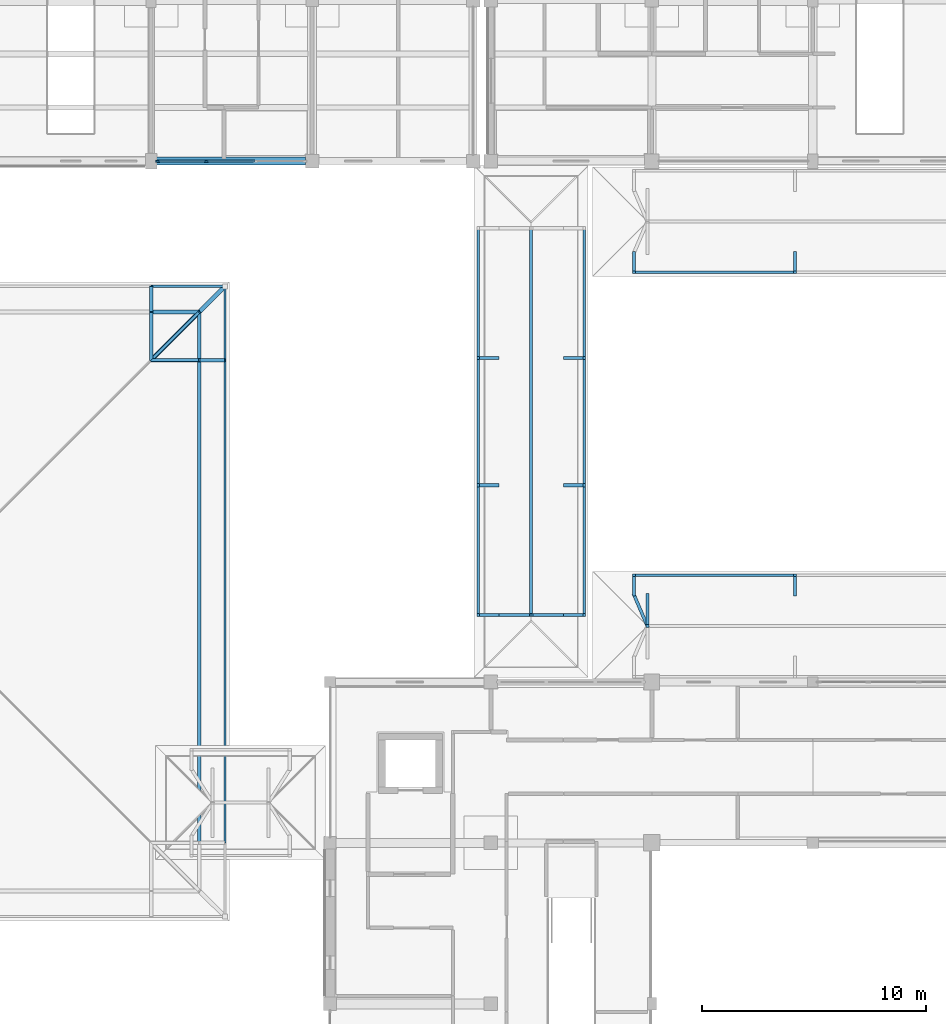
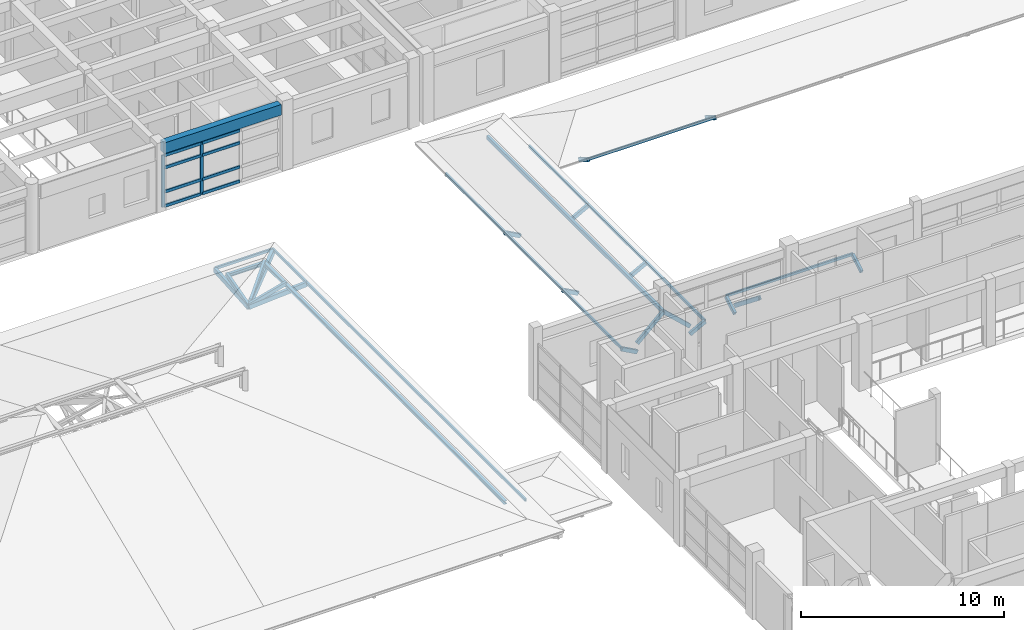
# One storey, part 11 of 110: 45 members, 1 beam, 1 element without a shape of its own.
"""IFC4 building model written with IfcOpenShell, lengths in metres."""

from ifc_helpers import new_model, si_unit, direction, frame, origin, origin_2d, place, context, subcontext, project, spatial, rectangle, hollow_rectangle, i_section, extrude, material, material_profile, profile_set, type_object, element, aggregate, save


model = new_model("IFC4")

# Units and contexts
model_context = context("Model", 3, precision=1e-05, world=origin(), true_north=direction((0.0, 1.0)))
body_context = subcontext(model_context, "Body", "Model", "MODEL_VIEW")
ifc_project = project(units=[si_unit("LENGTHUNIT", "METRE"), si_unit("AREAUNIT", "SQUARE_METRE"), si_unit("VOLUMEUNIT", "CUBIC_METRE"), si_unit("PLANEANGLEUNIT", "RADIAN"), si_unit("MASSUNIT", "GRAM", prefix="KILO")], contexts=[model_context])

# Site, building, storey
site_placement = place(None, origin())
site = spatial("IfcSite", under=ifc_project, at=site_placement, CompositionType="ELEMENT")
building_placement = place(site_placement, origin())
building = spatial("IfcBuilding", under=site, at=building_placement, Name="Steenspoor Specialist Clinic", CompositionType="ELEMENT")
storey_placement = place(building_placement, frame((0.0, 0.0, 4.800048828125)))
storey = spatial("IfcBuildingStorey", under=building, at=storey_placement, Name="L01", CompositionType="ELEMENT", Elevation=4.800048828125)

# Curtain wall, members
ifc_material_1 = material(Name="Thermally broken aluminium and low-emissivity glass", Category="aluminium")
curtain_wall_type = type_object("IfcCurtainWallType", Name="CW-SCR-360X320", PredefinedType="USERDEFINED", material=ifc_material_1)
curtain_wall_placement = place(storey_placement, origin())
curtain_wall = element("IfcCurtainWall", 1, at=curtain_wall_placement, inside=storey, type_object=curtain_wall_type, Name="Unitised Curtain Wall CW-V5-L01-139", ObjectType="UNITISED GLAZING", PredefinedType="USERDEFINED")
ifc_material_2 = material(Name="Thermally broken aluminium 6063-T6", Category="aluminium")
ifc_material_profile_1 = material_profile(ifc_material_2, rectangle(XDim=0.080078125, YDim=0.179931640625, at=origin_2d()), Name="CWM-80X180")
ifc_profile_set_1 = profile_set([ifc_material_profile_1], Name="Thermally broken aluminium 6063-T6")
member_type_1 = type_object("IfcMemberType", Name="CW-MULL-80X180", PredefinedType="MULLION", material=ifc_profile_set_1)
member_1_placement = place(storey_placement, frame((39.666748046875, 65.14990234375, 0.0), z_axis=(0.0, 0.0, 1.0), x_axis=(0.0, -1.0, 0.0)))
member_1 = element("IfcMember", 2, at=member_1_placement, type_object=member_type_1, Name="CW-19 mullion 3", PredefinedType="MULLION", context=body_context, shape_type="SweptSolid", body=[
    extrude(rectangle(XDim=0.080078125, YDim=0.179931640625, at=origin_2d()), origin(), (0.0, 0.0, 1.0), 3.1298828125),
])
member_2_placement = place(storey_placement, frame((37.489990234375, 65.14990234375, 0.0), z_axis=(0.0, 0.0, 1.0), x_axis=(0.0, -1.0, 0.0)))
member_2 = element("IfcMember", 3, at=member_2_placement, type_object=member_type_1, Name="CW-19 mullion 4", PredefinedType="MULLION", context=body_context, shape_type="SweptSolid", body=[
    extrude(rectangle(XDim=0.080078125, YDim=0.179931640625, at=origin_2d()), origin(), (0.0, 0.0, 1.0), 3.1298828125),
])
ifc_material_profile_2 = material_profile(ifc_material_2, rectangle(XDim=0.090087890625, YDim=0.175048828125, at=origin_2d()), Name="CWT-90X175")
ifc_profile_set_2 = profile_set([ifc_material_profile_2], Name="Thermally broken aluminium 6063-T6")
member_type_2 = type_object("IfcMemberType", Name="CW-TRAN-90X175", PredefinedType="USERDEFINED", material=ifc_profile_set_2)
member_3_placement = place(storey_placement, frame((41.84326171875, 65.14990234375, 0.044921875), z_axis=(-1.0, 0.0, 0.0), x_axis=(0.0, -1.0, 0.0)))
member_3 = element("IfcMember", 4, at=member_3_placement, type_object=member_type_2, Name="CW-19 transom 2.1", ObjectType="TRANSOM", PredefinedType="USERDEFINED", context=body_context, shape_type="SweptSolid", body=[
    extrude(rectangle(XDim=0.090087890625, YDim=0.175048828125, at=origin_2d()), origin(), (0.0, 0.0, 1.0), 2.136474609375),
])
member_4_placement = place(storey_placement, frame((41.84326171875, 65.14990234375, 0.89990234375), z_axis=(-1.0, 0.0, 0.0), x_axis=(0.0, -1.0, 0.0)))
member_4 = element("IfcMember", 5, at=member_4_placement, type_object=member_type_2, Name="CW-19 transom 2.2", ObjectType="TRANSOM", PredefinedType="USERDEFINED", context=body_context, shape_type="SweptSolid", body=[
    extrude(rectangle(XDim=0.090087890625, YDim=0.175048828125, at=origin_2d()), origin(), (0.0, 0.0, 1.0), 2.136474609375),
])
member_5_placement = place(storey_placement, frame((41.84326171875, 65.14990234375, 2.349853515625), z_axis=(-1.0, 0.0, 0.0), x_axis=(0.0, -1.0, 0.0)))
member_5 = element("IfcMember", 6, at=member_5_placement, type_object=member_type_2, Name="CW-19 transom 2.3", ObjectType="TRANSOM", PredefinedType="USERDEFINED", context=body_context, shape_type="SweptSolid", body=[
    extrude(rectangle(XDim=0.090087890625, YDim=0.175048828125, at=origin_2d()), origin(), (0.0, 0.0, 1.0), 2.136474609375),
])
member_6_placement = place(storey_placement, frame((41.84326171875, 65.14990234375, 3.0849609375), z_axis=(-1.0, 0.0, 0.0), x_axis=(0.0, -1.0, 0.0)))
member_6 = element("IfcMember", 7, at=member_6_placement, type_object=member_type_2, Name="CW-19 transom 2.4", ObjectType="TRANSOM", PredefinedType="USERDEFINED", context=body_context, shape_type="SweptSolid", body=[
    extrude(rectangle(XDim=0.090087890625, YDim=0.175048828125, at=origin_2d()), origin(), (0.0, 0.0, 1.0), 2.136474609375),
])
member_7_placement = place(storey_placement, frame((39.626708984375, 65.14990234375, 0.044921875), z_axis=(-1.0, 0.0, 0.0), x_axis=(0.0, -1.0, 0.0)))
member_7 = element("IfcMember", 8, at=member_7_placement, type_object=member_type_2, Name="CW-19 transom 3.1", ObjectType="TRANSOM", PredefinedType="USERDEFINED", context=body_context, shape_type="SweptSolid", body=[
    extrude(rectangle(XDim=0.090087890625, YDim=0.175048828125, at=origin_2d()), origin(), (0.0, 0.0, 1.0), 2.0966796875),
])
member_8_placement = place(storey_placement, frame((39.626708984375, 65.14990234375, 0.89990234375), z_axis=(-1.0, 0.0, 0.0), x_axis=(0.0, -1.0, 0.0)))
member_8 = element("IfcMember", 9, at=member_8_placement, type_object=member_type_2, Name="CW-19 transom 3.2", ObjectType="TRANSOM", PredefinedType="USERDEFINED", context=body_context, shape_type="SweptSolid", body=[
    extrude(rectangle(XDim=0.090087890625, YDim=0.175048828125, at=origin_2d()), origin(), (0.0, 0.0, 1.0), 2.0966796875),
])
member_9_placement = place(storey_placement, frame((39.626708984375, 65.14990234375, 2.349853515625), z_axis=(-1.0, 0.0, 0.0), x_axis=(0.0, -1.0, 0.0)))
member_9 = element("IfcMember", 10, at=member_9_placement, type_object=member_type_2, Name="CW-19 transom 3.3", ObjectType="TRANSOM", PredefinedType="USERDEFINED", context=body_context, shape_type="SweptSolid", body=[
    extrude(rectangle(XDim=0.090087890625, YDim=0.175048828125, at=origin_2d()), origin(), (0.0, 0.0, 1.0), 2.0966796875),
])
member_10_placement = place(storey_placement, frame((39.626708984375, 65.14990234375, 3.0849609375), z_axis=(-1.0, 0.0, 0.0), x_axis=(0.0, -1.0, 0.0)))
member_10 = element("IfcMember", 11, at=member_10_placement, type_object=member_type_2, Name="CW-19 transom 3.4", ObjectType="TRANSOM", PredefinedType="USERDEFINED", context=body_context, shape_type="SweptSolid", body=[
    extrude(rectangle(XDim=0.090087890625, YDim=0.175048828125, at=origin_2d()), origin(), (0.0, 0.0, 1.0), 2.0966796875),
])
aggregate(curtain_wall, [member_1, member_2, member_3, member_4, member_5, member_6, member_7, member_8, member_9, member_10])

# Members
ifc_material_3 = material(Name="Steel A500 Grade C", Category="steel")
ifc_material_profile_3 = material_profile(ifc_material_3, hollow_rectangle(XDim=0.1015625, YDim=0.15234375, WallThickness=0.005859375, at=origin_2d()), Name="HSS152X102X6.4")
ifc_profile_set_3 = profile_set([ifc_material_profile_3], Name="Steel A500 Grade C")
member_type_3 = type_object("IfcMemberType", Name="MEM-PURLIN-H152", PredefinedType="PURLIN", material=ifc_profile_set_3)
member_11_placement = place(storey_placement, frame((37.199951171875, 59.550048828125, -0.195068359375), z_axis=(1.0, 0.0, 0.0), x_axis=(0.0, 1.0, 0.0)))
element("IfcMember", 12, at=member_11_placement, inside=storey, type_object=member_type_3, Name="ROOF TRUSS Eave Fascia 156", PredefinedType="PURLIN", context=body_context, shape_type="SweptSolid", body=[
    extrude(hollow_rectangle(XDim=0.1015625, YDim=0.15234375, WallThickness=0.005859375, at=origin_2d()), origin(), (0.0, 0.0, 1.0), 3.300048828125),
])
member_12_placement = place(storey_placement, frame((40.5, 34.64990234375, -0.195068359375), z_axis=(0.0, 1.0, 0.0), x_axis=(-1.0, 0.0, 0.0)))
element("IfcMember", 13, at=member_12_placement, inside=storey, type_object=member_type_3, Name="ROOF TRUSS Eave Fascia 161", PredefinedType="PURLIN", context=body_context, shape_type="SweptSolid", body=[
    extrude(hollow_rectangle(XDim=0.1015625, YDim=0.15234375, WallThickness=0.005859375, at=origin_2d()), origin(), (0.0, 0.0, 1.0), 21.60009765625),
])
member_13_placement = place(storey_placement, frame((40.5, 56.25, -0.195068359375), z_axis=(0.0, 1.0, 0.0), x_axis=(-1.0, 0.0, 0.0)))
element("IfcMember", 14, at=member_13_placement, inside=storey, type_object=member_type_3, Name="ROOF TRUSS Eave Fascia 162", PredefinedType="PURLIN", context=body_context, shape_type="SweptSolid", body=[
    extrude(hollow_rectangle(XDim=0.1015625, YDim=0.15234375, WallThickness=0.005859375, at=origin_2d()), origin(), (0.0, 0.0, 1.0), 3.300048828125),
])
member_14_placement = place(storey_placement, frame((51.830078125, 44.85009765625, -1.199951171875), z_axis=(0.0, 1.0, 0.0), x_axis=(-1.0, 0.0, 0.0)))
element("IfcMember", 15, at=member_14_placement, inside=storey, type_object=member_type_3, Name="Walkway Fascia WK1 566", PredefinedType="PURLIN", context=body_context, shape_type="SweptSolid", body=[
    extrude(hollow_rectangle(XDim=0.1015625, YDim=0.15234375, WallThickness=0.005859375, at=origin_2d()), origin(), (0.0, 0.0, 1.0), 5.7998046875),
])
member_15_placement = place(storey_placement, frame((51.830078125, 50.64990234375, -1.199951171875), z_axis=(0.0, 1.0, 0.0), x_axis=(-1.0, 0.0, 0.0)))
element("IfcMember", 16, at=member_15_placement, inside=storey, type_object=member_type_3, Name="Walkway Fascia WK1 567", PredefinedType="PURLIN", context=body_context, shape_type="SweptSolid", body=[
    extrude(hollow_rectangle(XDim=0.1015625, YDim=0.15234375, WallThickness=0.005859375, at=origin_2d()), origin(), (0.0, 0.0, 1.0), 5.7001953125),
])
for number, where, z_axis, x_axis, name in (
    (17, (51.830078125, 56.35009765625, -1.199951171875), (0.0, 1.0, 0.0), (-1.0, 0.0, 0.0), "Walkway Fascia WK1 568"),
    (18, (56.570068359375, 44.85009765625, -1.199951171875), (0.0, 1.0, 0.0), (-1.0, 0.0, 0.0), "Walkway Fascia WK1 569"),
):
    element("IfcMember", number, at=place(storey_placement, frame(where, z_axis=z_axis, x_axis=x_axis)), inside=storey, type_object=member_type_3, Name=name, PredefinedType="PURLIN", context=body_context, shape_type="SweptSolid", body=[
        extrude(hollow_rectangle(XDim=0.1015625, YDim=0.15234375, WallThickness=0.005859375, at=origin_2d()), origin(), (0.0, 0.0, 1.0), 5.7998046875),
    ])
member_16_placement = place(storey_placement, frame((56.570068359375, 50.64990234375, -1.199951171875), z_axis=(0.0, 1.0, 0.0), x_axis=(-1.0, 0.0, 0.0)))
element("IfcMember", 19, at=member_16_placement, inside=storey, type_object=member_type_3, Name="Walkway Fascia WK1 570", PredefinedType="PURLIN", context=body_context, shape_type="SweptSolid", body=[
    extrude(hollow_rectangle(XDim=0.1015625, YDim=0.15234375, WallThickness=0.005859375, at=origin_2d()), origin(), (0.0, 0.0, 1.0), 5.7001953125),
])
member_17_placement = place(storey_placement, frame((56.570068359375, 56.35009765625, -1.199951171875), z_axis=(0.0, 1.0, 0.0), x_axis=(-1.0, 0.0, 0.0)))
element("IfcMember", 20, at=member_17_placement, inside=storey, type_object=member_type_3, Name="Walkway Fascia WK1 571", PredefinedType="PURLIN", context=body_context, shape_type="SweptSolid", body=[
    extrude(hollow_rectangle(XDim=0.1015625, YDim=0.15234375, WallThickness=0.005859375, at=origin_2d()), origin(), (0.0, 0.0, 1.0), 5.7998046875),
])
for number, where, z_axis, x_axis, name in (
    (21, (58.800048828125, 60.179931640625, -1.571533203125), (1.0, 0.0, 0.0), (0.0, 1.0, 0.0), "Walkway Fascia WK4 583"),
    (22, (58.800048828125, 46.6201171875, -1.571533203125), (1.0, 0.0, 0.0), (0.0, 1.0, 0.0), "Walkway Fascia WK5 608"),
):
    element("IfcMember", number, at=place(storey_placement, frame(where, z_axis=z_axis, x_axis=x_axis)), inside=storey, type_object=member_type_3, Name=name, PredefinedType="PURLIN", context=body_context, shape_type="SweptSolid", body=[
        extrude(hollow_rectangle(XDim=0.1015625, YDim=0.15234375, WallThickness=0.005859375, at=origin_2d()), origin(), (0.0, 0.0, 1.0), 7.199951171875),
    ])
ifc_material_4 = material(Name="Steel A992 Grade 50", Category="steel")
ifc_material_profile_4 = material_profile(ifc_material_4, i_section(OverallWidth=0.1650390625, OverallDepth=0.200927734375, WebThickness=0.006103515625, FlangeThickness=0.01025390625, at=origin_2d()), Name="W200X36")
ifc_profile_set_4 = profile_set([ifc_material_profile_4], Name="Steel A992 Grade 50")
member_type_4 = type_object("IfcMemberType", Name="MEM-PURLIN-W200", PredefinedType="PURLIN", material=ifc_profile_set_4)
member_18_placement = place(storey_placement, frame((37.199951171875, 58.39990234375, 0.0703125), z_axis=(1.0, 0.0, 0.0), x_axis=(0.0, 1.0, 0.0)))
element("IfcMember", 23, at=member_18_placement, inside=storey, type_object=member_type_4, Name="ROOF TRUSS Knuckle Purlin 174", PredefinedType="PURLIN", context=body_context, shape_type="SweptSolid", body=[
    extrude(i_section(OverallWidth=0.1650390625, OverallDepth=0.200927734375, WebThickness=0.006103515625, FlangeThickness=0.01025390625, at=origin_2d()), origin(), (0.0, 0.0, 1.0), 2.150146484375),
])
member_19_placement = place(storey_placement, frame((39.35009765625, 34.64990234375, 0.0703125), z_axis=(0.0, 1.0, 0.0), x_axis=(-1.0, 0.0, 0.0)))
element("IfcMember", 24, at=member_19_placement, inside=storey, type_object=member_type_4, Name="ROOF TRUSS Knuckle Purlin 179", PredefinedType="PURLIN", context=body_context, shape_type="SweptSolid", body=[
    extrude(i_section(OverallWidth=0.1650390625, OverallDepth=0.200927734375, WebThickness=0.006103515625, FlangeThickness=0.01025390625, at=origin_2d()), origin(), (0.0, 0.0, 1.0), 21.60009765625),
])
member_20_placement = place(storey_placement, frame((39.35009765625, 56.25, 0.0703125), z_axis=(0.0, 1.0, 0.0), x_axis=(-1.0, 0.0, 0.0)))
element("IfcMember", 25, at=member_20_placement, inside=storey, type_object=member_type_4, Name="ROOF TRUSS Knuckle Purlin 180", PredefinedType="PURLIN", context=body_context, shape_type="SweptSolid", body=[
    extrude(i_section(OverallWidth=0.1650390625, OverallDepth=0.200927734375, WebThickness=0.006103515625, FlangeThickness=0.01025390625, at=origin_2d()), origin(), (0.0, 0.0, 1.0), 2.14990234375),
])
ifc_material_5 = material(Name="Glulam GL28h", Category="wood")
ifc_material_profile_5 = material_profile(ifc_material_5, rectangle(XDim=0.139892578125, YDim=0.219970703125, at=origin_2d()), Name="GL28H-140X220")
ifc_profile_set_5 = profile_set([ifc_material_profile_5], Name="Glulam GL28h")
member_type_5 = type_object("IfcMemberType", Name="MEM-RAFTER-GL220", PredefinedType="RAFTER", material=ifc_profile_set_5)
member_21_placement = place(storey_placement, frame((37.199951171875, 56.25, -0.40283203125), z_axis=(0.0, 0.965556448109, 0.260193669244), x_axis=(-1.0, 0.0, 0.0)))
element("IfcMember", 26, at=member_21_placement, inside=storey, type_object=member_type_5, Name="ROOF TRUSS Knuckle Rafter V3 98", PredefinedType="RAFTER", context=body_context, shape_type="SweptSolid", body=[
    extrude(rectangle(XDim=0.139892578125, YDim=0.219970703125, at=origin_2d()), origin(), (0.0, 0.0, 1.0), 2.2265625),
])
member_22_placement = place(storey_placement, frame((37.199951171875, 56.25, -0.40283203125), z_axis=(0.965563870152, 0.0, 0.260166125113), x_axis=(0.0, 1.0, 0.0)))
element("IfcMember", 27, at=member_22_placement, inside=storey, type_object=member_type_5, Name="ROOF TRUSS Knuckle Rafter V3 106", PredefinedType="RAFTER", context=body_context, shape_type="SweptSolid", body=[
    extrude(rectangle(XDim=0.139892578125, YDim=0.219970703125, at=origin_2d()), origin(), (0.0, 0.0, 1.0), 2.226806640625),
])
member_23_placement = place(storey_placement, frame((37.199951171875, 56.25, -0.5), z_axis=(0.690267938304, 0.690189561111, 0.217183201662), x_axis=(-0.707066633179, 0.707146926915, 0.0)))
element("IfcMember", 28, at=member_23_placement, inside=storey, type_object=member_type_5, Name="ROOF TRUSS Corner Knuckle Rafter V3 114", PredefinedType="RAFTER", context=body_context, shape_type="SweptSolid", body=[
    extrude(rectangle(XDim=0.139892578125, YDim=0.219970703125, at=origin_2d()), origin(), (0.0, 0.0, 1.0), 3.114990234375),
])
member_24_placement = place(storey_placement, frame((52.699951171875, 44.85009765625, -1.715087890625), z_axis=(-0.878149761853, 0.0, 0.478385823115), x_axis=(0.0, -1.0, 0.0)))
element("IfcMember", 29, at=member_24_placement, inside=storey, type_object=member_type_5, Name="Walkway Eave Outrigger WK1 389", PredefinedType="RAFTER", context=body_context, shape_type="SweptSolid", body=[
    extrude(rectangle(XDim=0.139892578125, YDim=0.219970703125, at=origin_2d()), origin(), (0.0, 0.0, 1.0), 0.990478515625),
])
member_25_placement = place(storey_placement, frame((55.699951171875, 44.85009765625, -1.715087890625), z_axis=(0.878206147477, 0.0, 0.478282304224), x_axis=(0.0, 1.0, 0.0)))
element("IfcMember", 30, at=member_25_placement, inside=storey, type_object=member_type_5, Name="Walkway Eave Outrigger WK1 390", PredefinedType="RAFTER", context=body_context, shape_type="SweptSolid", body=[
    extrude(rectangle(XDim=0.139892578125, YDim=0.219970703125, at=origin_2d()), origin(), (0.0, 0.0, 1.0), 0.99072265625),
])
member_26_placement = place(storey_placement, frame((52.699951171875, 50.64990234375, -1.715087890625), z_axis=(-0.878149761853, 0.0, 0.478385823115), x_axis=(0.0, -1.0, 0.0)))
element("IfcMember", 31, at=member_26_placement, inside=storey, type_object=member_type_5, Name="Walkway Eave Outrigger WK1 391", PredefinedType="RAFTER", context=body_context, shape_type="SweptSolid", body=[
    extrude(rectangle(XDim=0.139892578125, YDim=0.219970703125, at=origin_2d()), origin(), (0.0, 0.0, 1.0), 0.990478515625),
])
member_27_placement = place(storey_placement, frame((55.699951171875, 50.64990234375, -1.715087890625), z_axis=(0.878206147477, 0.0, 0.478282304224), x_axis=(0.0, 1.0, 0.0)))
element("IfcMember", 32, at=member_27_placement, inside=storey, type_object=member_type_5, Name="Walkway Eave Outrigger WK1 392", PredefinedType="RAFTER", context=body_context, shape_type="SweptSolid", body=[
    extrude(rectangle(XDim=0.139892578125, YDim=0.219970703125, at=origin_2d()), origin(), (0.0, 0.0, 1.0), 0.99072265625),
])
member_28_placement = place(storey_placement, frame((52.699951171875, 56.35009765625, -1.715087890625), z_axis=(-0.878149761853, 0.0, 0.478385823115), x_axis=(0.0, -1.0, 0.0)))
element("IfcMember", 33, at=member_28_placement, inside=storey, type_object=member_type_5, Name="Walkway Eave Outrigger WK1 393", PredefinedType="RAFTER", context=body_context, shape_type="SweptSolid", body=[
    extrude(rectangle(XDim=0.139892578125, YDim=0.219970703125, at=origin_2d()), origin(), (0.0, 0.0, 1.0), 0.990478515625),
])
member_29_placement = place(storey_placement, frame((55.699951171875, 56.35009765625, -1.715087890625), z_axis=(0.878206147477, 0.0, 0.478282304224), x_axis=(0.0, 1.0, 0.0)))
element("IfcMember", 34, at=member_29_placement, inside=storey, type_object=member_type_5, Name="Walkway Eave Outrigger WK1 394", PredefinedType="RAFTER", context=body_context, shape_type="SweptSolid", body=[
    extrude(rectangle(XDim=0.139892578125, YDim=0.219970703125, at=origin_2d()), origin(), (0.0, 0.0, 1.0), 0.99072265625),
])
member_30_placement = place(storey_placement, frame((54.199951171875, 44.85009765625, 0.17431640625), z_axis=(0.0, 1.0, 0.0), x_axis=(-1.0, 0.0, 0.0)))
element("IfcMember", 35, at=member_30_placement, inside=storey, type_object=member_type_5, Name="Walkway Ridge Rafter WK1", PredefinedType="RAFTER", context=body_context, shape_type="SweptSolid", body=[
    extrude(rectangle(XDim=0.139892578125, YDim=0.219970703125, at=origin_2d()), origin(), (0.0, 0.0, 1.0), 17.2998046875),
])
for number, where, z_axis, x_axis, name in (
    (36, (52.699951171875, 44.85009765625, -1.215087890625), (0.733634993371, 0.0, 0.679543741419), (0.0, 1.0, 0.0), "Walkway Rafter WK1"),
    (37, (55.699951171875, 44.85009765625, -1.215087890625), (-0.733634993371, 0.0, 0.679543741419), (0.0, -1.0, 0.0), "Walkway Rafter WK1"),
):
    element("IfcMember", number, at=place(storey_placement, frame(where, z_axis=z_axis, x_axis=x_axis)), inside=storey, type_object=member_type_5, Name=name, PredefinedType="RAFTER", context=body_context, shape_type="SweptSolid", body=[
        extrude(rectangle(XDim=0.139892578125, YDim=0.219970703125, at=origin_2d()), origin(), (0.0, 0.0, 1.0), 2.044677734375),
    ])
for number, where, z_axis, x_axis, name in (
    (38, (58.800048828125, 61.050048828125, -2.114990234375), (0.0, -0.865991350021, 0.500058978211), (1.0, 0.0, 0.0), "Walkway Eave Outrigger WK4 409"),
    (39, (66.0, 61.050048828125, -2.114990234375), (0.0, -0.865991350021, 0.500058978211), (1.0, 0.0, 0.0), "Walkway Eave Outrigger WK4 411"),
    (40, (58.800048828125, 45.75, -2.114990234375), (0.0, 0.865991350021, 0.500058978211), (-1.0, 0.0, 0.0), "Walkway Eave Outrigger WK5 428"),
    (41, (66.0, 45.75, -2.114990234375), (0.0, 0.865991350021, 0.500058978211), (-1.0, 0.0, 0.0), "Walkway Eave Outrigger WK5 430"),
):
    element("IfcMember", number, at=place(storey_placement, frame(where, z_axis=z_axis, x_axis=x_axis)), inside=storey, type_object=member_type_5, Name=name, PredefinedType="RAFTER", context=body_context, shape_type="SweptSolid", body=[
        extrude(rectangle(XDim=0.139892578125, YDim=0.219970703125, at=origin_2d()), origin(), (0.0, 0.0, 1.0), 1.0048828125),
    ])
member_31_placement = place(storey_placement, frame((59.39990234375, 45.75, -1.614990234375), z_axis=(0.0, -0.787736864578, 0.61601187666), x_axis=(1.0, 0.0, 0.0)))
element("IfcMember", 42, at=member_31_placement, inside=storey, type_object=member_type_5, Name="Walkway Rafter WK5", PredefinedType="RAFTER", context=body_context, shape_type="SweptSolid", body=[
    extrude(rectangle(XDim=0.139892578125, YDim=0.219970703125, at=origin_2d()), origin(), (0.0, 0.0, 1.0), 1.777099609375),
])
member_32_placement = place(storey_placement, frame((58.800048828125, 45.75, -1.614990234375), z_axis=(0.31981490999, -0.746364954775, 0.583658956611), x_axis=(0.919169902586, 0.393861257526, 0.0)))
element("IfcMember", 43, at=member_32_placement, inside=storey, type_object=member_type_5, Name="Walkway Hip Rafter WK5", PredefinedType="RAFTER", context=body_context, shape_type="SweptSolid", body=[
    extrude(rectangle(XDim=0.139892578125, YDim=0.219970703125, at=origin_2d()), origin(), (0.0, 0.0, 1.0), 1.875732421875),
])
ifc_material_profile_6 = material_profile(ifc_material_5, rectangle(XDim=0.159912109375, YDim=0.280029296875, at=origin_2d()), Name="GL28H-160X280")
ifc_profile_set_6 = profile_set([ifc_material_profile_6], Name="Glulam GL28h")
member_type_6 = type_object("IfcMemberType", Name="MEM-RAFTER-GL280", PredefinedType="RAFTER", material=ifc_profile_set_6)
for number, where, z_axis, x_axis, name in (
    (44, (37.199951171875, 56.25, -0.5), (0.0, 0.997518653982, 0.070402663009), (-1.0, 0.0, 0.0), "ROOF TRUSS Flared Eave Glulam Outrigger V3 97"),
    (45, (37.199951171875, 56.25, -0.5), (0.997518653982, 0.0, 0.070402663009), (0.0, 1.0, 0.0), "ROOF TRUSS Flared Eave Glulam Outrigger V3 105"),
):
    element("IfcMember", number, at=place(storey_placement, frame(where, z_axis=z_axis, x_axis=x_axis)), inside=storey, type_object=member_type_6, Name=name, PredefinedType="RAFTER", context=body_context, shape_type="SweptSolid", body=[
        extrude(rectangle(XDim=0.159912109375, YDim=0.280029296875, at=origin_2d()), origin(), (0.0, 0.0, 1.0), 3.308349609375),
    ])
ifc_material_profile_7 = material_profile(ifc_material_5, rectangle(XDim=0.179931640625, YDim=0.360107421875, at=origin_2d()), Name="GL28H-180X360")
ifc_profile_set_7 = profile_set([ifc_material_profile_7], Name="Glulam GL28h")
member_type_7 = type_object("IfcMemberType", Name="MEM-RAFTER-GL360", PredefinedType="RAFTER", material=ifc_profile_set_7)
member_33_placement = place(storey_placement, frame((37.199951171875, 56.25, -0.5), z_axis=(0.706511318105, 0.706511318105, 0.041030656559), x_axis=(-0.707106781187, 0.707106781187, 0.0)))
element("IfcMember", 46, at=member_33_placement, inside=storey, type_object=member_type_7, Name="ROOF TRUSS Corner Hip Outrigger V3 113", PredefinedType="RAFTER", context=body_context, shape_type="SweptSolid", body=[
    extrude(rectangle(XDim=0.179931640625, YDim=0.360107421875, at=origin_2d()), origin(), (0.0, 0.0, 1.0), 4.6708984375),
])

# Beam
ifc_material_6 = material(Name="Concrete C35/45", Category="concrete")
ifc_material_profile_8 = material_profile(ifc_material_6, rectangle(XDim=0.360107421875, YDim=0.639892578125, at=origin_2d()), Name="RC-SP-360X640")
ifc_profile_set_8 = profile_set([ifc_material_profile_8], Name="Concrete C35/45")
beam_type = type_object("IfcBeamType", Name="SP-RC-360X640", PredefinedType="SPANDREL", material=ifc_profile_set_8)
beam_placement = place(storey_placement, frame((37.445068359375, 65.14990234375, 3.6298828125), z_axis=(1.0, 0.0, 0.0), x_axis=(0.0, 1.0, 0.0)))
element("IfcBeam", 47, at=beam_placement, inside=storey, type_object=beam_type, Name="BM-V5-L01-X1156", PredefinedType="SPANDREL", context=body_context, shape_type="SweptSolid", body=[
    extrude(rectangle(XDim=0.360107421875, YDim=0.639892578125, at=origin_2d()), origin(), (0.0, 0.0, 1.0), 6.659912109375),
])

save(model, "model.ifc")
